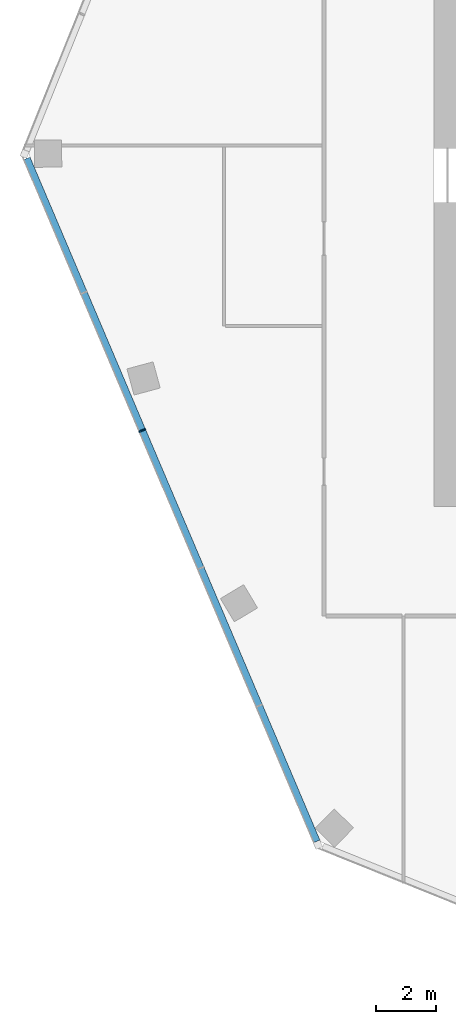
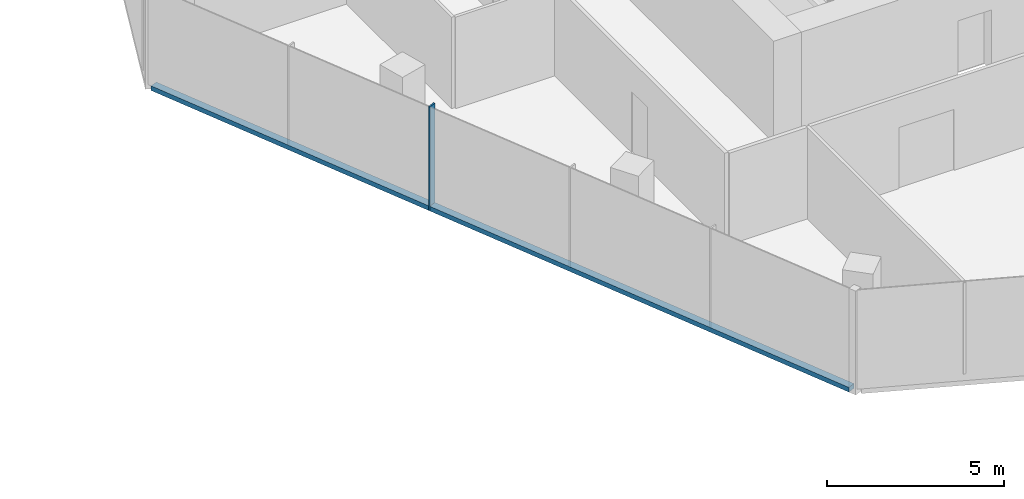
# One storey, part 3 of 17: 2 members, 1 element without a shape of its own.
"""IFC4 building model written with IfcOpenShell, lengths in metres."""

from ifc_helpers import new_model, si_unit, direction, frame, origin, origin_2d, place, context, subcontext, project, spatial, rectangle, extrude, material, material_profile, profile_set, type_object, element, aggregate, save


model = new_model("IFC4")

# Units and contexts
model_context = context("Model", 3, precision=1e-05, world=origin(), true_north=direction((0.0, 1.0)))
body_context = subcontext(model_context, "Body", "Model", "MODEL_VIEW")
ifc_project = project(units=[si_unit("LENGTHUNIT", "METRE"), si_unit("AREAUNIT", "SQUARE_METRE"), si_unit("VOLUMEUNIT", "CUBIC_METRE"), si_unit("PLANEANGLEUNIT", "RADIAN"), si_unit("MASSUNIT", "GRAM", prefix="KILO")], contexts=[model_context])

# Site, building, storey
site_placement = place(None, origin())
site = spatial("IfcSite", under=ifc_project, at=site_placement, CompositionType="ELEMENT")
building_placement = place(site_placement, origin())
building = spatial("IfcBuilding", under=site, at=building_placement, Name="Orlundy Tower", CompositionType="ELEMENT")
storey_placement = place(building_placement, frame((0.0, 0.0, 289.39990234375)))
storey = spatial("IfcBuildingStorey", under=building, at=storey_placement, Name="L77", CompositionType="ELEMENT", Elevation=289.39990234375)

# Curtain wall, members
ifc_material_1 = material(Name="Aluminium bronze anodised", Category="aluminium")
curtain_wall_type = type_object("IfcCurtainWallType", Name="CW6 wall", PredefinedType="NOTDEFINED", material=ifc_material_1)
curtain_wall_placement = place(storey_placement, origin())
curtain_wall = element("IfcCurtainWall", 1, at=curtain_wall_placement, inside=storey, type_object=curtain_wall_type, Name="CW6 run 02", PredefinedType="NOTDEFINED")
ifc_material_2 = material(Name="Aluminium bronze anodised", Category="aluminium")
ifc_material_profile_1 = material_profile(ifc_material_2, rectangle(XDim=0.239990234375, YDim=0.050048828125, at=origin_2d()), Name="CW6 mullion 50x240")
ifc_profile_set_1 = profile_set([ifc_material_profile_1], Name="Aluminium bronze anodised")
member_type_1 = type_object("IfcMemberType", Name="CW6 mullion 50x240", PredefinedType="MULLION", material=ifc_profile_set_1)
member_1_placement = place(storey_placement, frame((-28.697021484375, -9.481201171875, -0.39990234375), z_axis=(0.0, 0.0, 1.0), x_axis=(-0.920506804854, -0.390726531244, 0.0)))
member_1 = element("IfcMember", 2, at=member_1_placement, type_object=member_type_1, Name="CW6 mullion 8", PredefinedType="MULLION", context=body_context, shape_type="SweptSolid", body=[
    extrude(rectangle(XDim=0.239990234375, YDim=0.050048828125, at=origin_2d()), origin(), (0.0, 0.0, 1.0), 3.580078125),
])
ifc_material_3 = material(Name="Aluminium bronze anodised", Category="aluminium")
ifc_material_profile_2 = material_profile(ifc_material_3, rectangle(XDim=0.239990234375, YDim=0.159912109375, at=origin_2d()), Name="CW6 transom 240x160")
ifc_profile_set_2 = profile_set([ifc_material_profile_2], Name="Aluminium bronze anodised")
member_type_2 = type_object("IfcMemberType", Name="CW6 transom 240x160", PredefinedType="USERDEFINED", material=ifc_profile_set_2)
member_2_placement = place(storey_placement, frame((-22.89794921875, -23.14306640625, -0.31982421875), z_axis=(-0.390731856881, 0.920504544268, 0.0), x_axis=(-0.920504544268, -0.390731856881, 0.0)))
member_2 = element("IfcMember", 3, at=member_2_placement, type_object=member_type_2, Name="CW6 transom", ObjectType="TRANSOM", PredefinedType="USERDEFINED", context=body_context, shape_type="SweptSolid", body=[
    extrude(rectangle(XDim=0.239990234375, YDim=0.159912109375, at=origin_2d()), origin(), (0.0, 0.0, 1.0), 24.663330078125),
])
aggregate(curtain_wall, [member_1, member_2])

save(model, "model.ifc")
